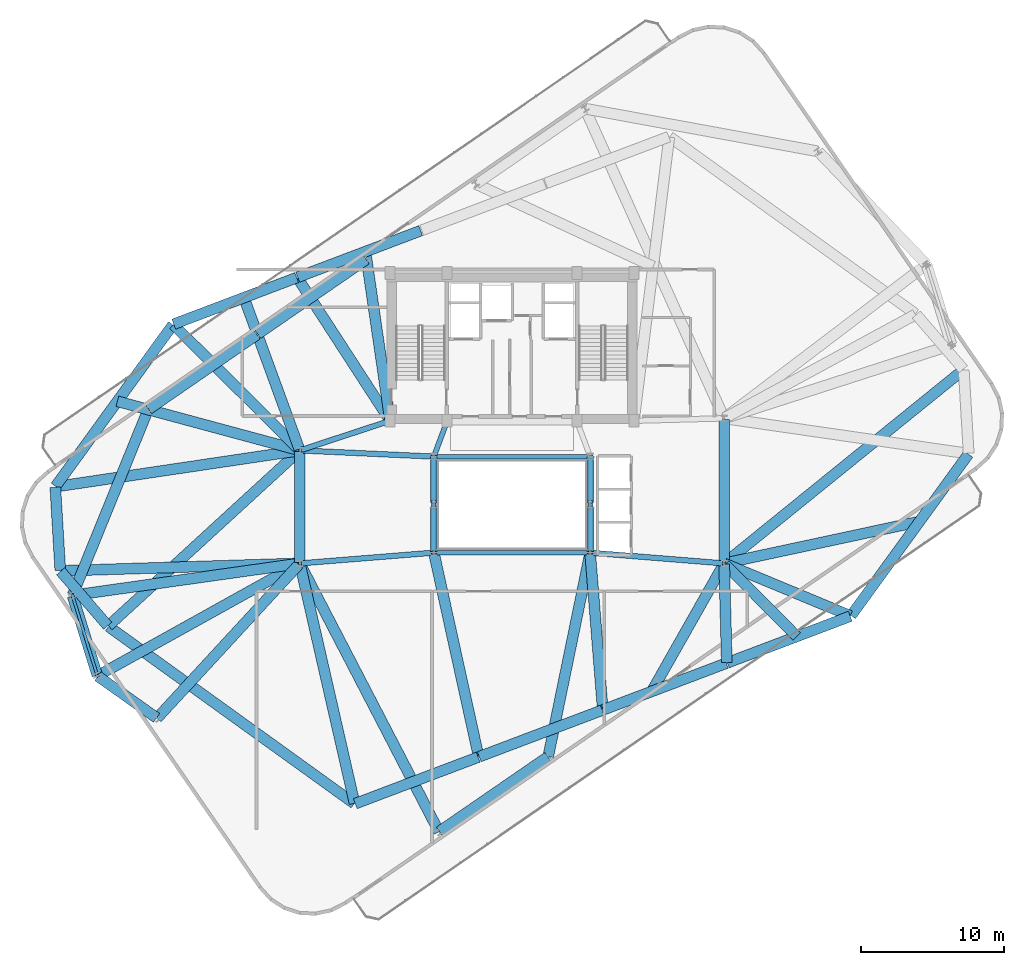
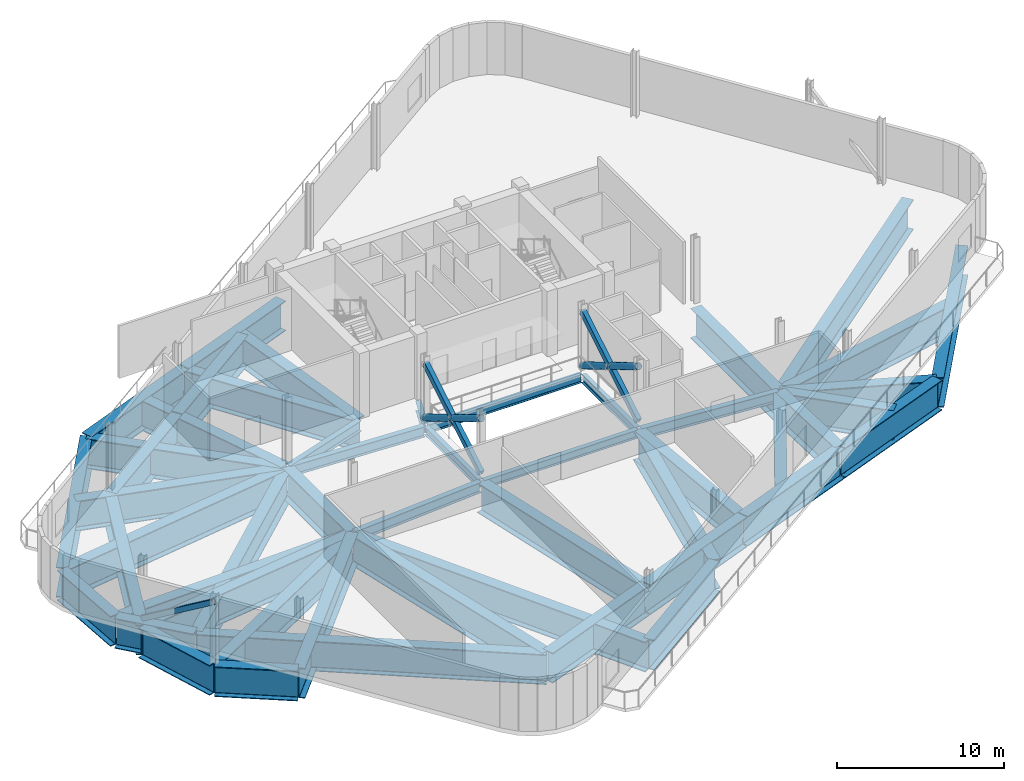
# One storey, part 3 of 13: 50 beams, 7 members.
"""IFC4 building model written with IfcOpenShell, lengths in metres."""

from ifc_helpers import new_model, si_unit, direction, frame, origin, origin_2d, place, context, subcontext, project, spatial, hollow_rectangle, hollow_circle, i_section, extrude, material, material_profile, profile_set, type_object, element, save


model = new_model("IFC4")

# Units and contexts
model_context = context("Model", 3, precision=1e-05, world=origin(), true_north=direction((0.0, 1.0)))
body_context = subcontext(model_context, "Body", "Model", "MODEL_VIEW")
ifc_project = project(units=[si_unit("LENGTHUNIT", "METRE"), si_unit("AREAUNIT", "SQUARE_METRE"), si_unit("VOLUMEUNIT", "CUBIC_METRE"), si_unit("PLANEANGLEUNIT", "RADIAN"), si_unit("MASSUNIT", "GRAM", prefix="KILO")], contexts=[model_context])

# Site, building, storey
site_placement = place(None, origin())
site = spatial("IfcSite", under=ifc_project, at=site_placement, CompositionType="ELEMENT")
building_placement = place(site_placement, origin())
building = spatial("IfcBuilding", under=site, at=building_placement, Name="Varnelok Gate Tower", CompositionType="ELEMENT")
storey_placement = place(building_placement, frame((0.0, 0.0, 253.39990234375)))
storey = spatial("IfcBuildingStorey", under=building, at=storey_placement, Name="L65", CompositionType="ELEMENT", Elevation=253.39990234375)

# Beams
ifc_material_1 = material(Name="Structural Steel ASTM A992 Grade 50", Category="steel")
ifc_material_profile_1 = material_profile(ifc_material_1, i_section(OverallWidth=0.35498046875, OverallDepth=0.696044921875, WebThickness=0.015380859375, FlangeThickness=0.02490234375, FilletRadius=0.02001953125, at=origin_2d()), Name="W27X146")
ifc_profile_set_1 = profile_set([ifc_material_profile_1], Name="Structural Steel ASTM A992 Grade 50")
beam_type_1 = type_object("IfcBeamType", Name="BM-PRI-W27X146", PredefinedType="BEAM", material=ifc_profile_set_1)
beam_1_placement = place(storey_placement, frame((33.791748046875, 26.362548828125, -0.66796875), z_axis=(0.348719329408, 0.937227202602, 0.0), x_axis=(-0.937227202602, 0.348719329408, 0.0)))
element("IfcBeam", 1, at=beam_1_placement, inside=storey, type_object=beam_type_1, Name="L65 Core-Atrium Spine Beam 12", PredefinedType="BEAM", context=body_context, shape_type="SweptSolid", body=[
    extrude(i_section(OverallWidth=0.35498046875, OverallDepth=0.696044921875, WebThickness=0.015380859375, FlangeThickness=0.02490234375, FilletRadius=0.02001953125, at=origin_2d()), origin(), (0.0, 0.0, 1.0), 2.42724609375),
])
ifc_material_profile_2 = material_profile(ifc_material_1, i_section(OverallWidth=0.381103515625, OverallDepth=0.77294921875, WebThickness=0.0166015625, FlangeThickness=0.027099609375, FilletRadius=0.02197265625, at=origin_2d()), Name="W30X173")
ifc_profile_set_2 = profile_set([ifc_material_profile_2], Name="Structural Steel ASTM A992 Grade 50")
beam_type_2 = type_object("IfcBeamType", Name="BM-PRI-W30X173", PredefinedType="BEAM", material=ifc_profile_set_2)
beam_2_placement = place(storey_placement, frame((24.51953125, 18.8095703125, -0.706298828125), z_axis=(0.996799206292, 0.07994587128, 0.0), x_axis=(-0.07994587128, 0.996799206292, 0.0)))
element("IfcBeam", 2, at=beam_2_placement, inside=storey, type_object=beam_type_2, Name="L65 Core-Atrium Spine Beam 14", PredefinedType="BEAM", context=body_context, shape_type="SweptSolid", body=[
    extrude(i_section(OverallWidth=0.381103515625, OverallDepth=0.77294921875, WebThickness=0.0166015625, FlangeThickness=0.027099609375, FilletRadius=0.02197265625, at=origin_2d()), origin(), (0.0, 0.0, 1.0), 9.14013671875),
])
beam_3_placement = place(storey_placement, frame((24.52001953125, 26.674560546875, -0.706298828125), z_axis=(0.99894427814, -0.045938319209, 0.0), x_axis=(0.045938319209, 0.99894427814, 0.0)))
element("IfcBeam", 3, at=beam_3_placement, inside=storey, type_object=beam_type_2, Name="L65 Core-Atrium Spine Beam 15", PredefinedType="BEAM", context=body_context, shape_type="SweptSolid", body=[
    extrude(i_section(OverallWidth=0.381103515625, OverallDepth=0.77294921875, WebThickness=0.0166015625, FlangeThickness=0.027099609375, FilletRadius=0.02197265625, at=origin_2d()), origin(), (0.0, 0.0, 1.0), 9.11962890625),
])
beam_4_placement = place(storey_placement, frame((24.513916015625, 26.717529296875, -0.706298828125), z_axis=(0.950041943788, 0.312122259768, 0.0), x_axis=(-0.312122259768, 0.950041943788, 0.0)))
element("IfcBeam", 4, at=beam_4_placement, inside=storey, type_object=beam_type_2, Name="L65 Core-Atrium Spine Beam 17", PredefinedType="BEAM", context=body_context, shape_type="SweptSolid", body=[
    extrude(i_section(OverallWidth=0.381103515625, OverallDepth=0.77294921875, WebThickness=0.0166015625, FlangeThickness=0.027099609375, FilletRadius=0.02197265625, at=origin_2d()), origin(), (0.0, 0.0, 1.0), 6.391357421875),
])
beam_5_placement = place(storey_placement, frame((44.76953125, 19.540283203125, -0.706298828125), z_axis=(0.996799206292, -0.07994587128, 0.0), x_axis=(0.07994587128, 0.996799206292, 0.0)))
element("IfcBeam", 5, at=beam_5_placement, inside=storey, type_object=beam_type_2, Name="L65 Core-Atrium Spine Beam 18", PredefinedType="BEAM", context=body_context, shape_type="SweptSolid", body=[
    extrude(i_section(OverallWidth=0.381103515625, OverallDepth=0.77294921875, WebThickness=0.0166015625, FlangeThickness=0.027099609375, FilletRadius=0.02197265625, at=origin_2d()), origin(), (0.0, 0.0, 1.0), 9.14013671875),
])
ifc_material_profile_3 = material_profile(ifc_material_1, i_section(OverallWidth=0.323974609375, OverallDepth=0.611083984375, WebThickness=0.0126953125, FlangeThickness=0.01904296875, FilletRadius=0.01806640625, at=origin_2d()), Name="W24X104")
ifc_profile_set_3 = profile_set([ifc_material_profile_3], Name="Structural Steel ASTM A992 Grade 50")
beam_type_3 = type_object("IfcBeamType", Name="BM-SPN-W24X104", PredefinedType="SPANDREL", material=ifc_profile_set_3)
for number, where, z_axis, x_axis, name in (
    (6, (33.8701171875, 19.550048828125, -0.62548828125), (1.0, 0.0, 0.0), (0.0, 1.0, 0.0), "L65 Core-Atrium Spine Beam 8"),
    (7, (33.8701171875, 26.25, -0.62548828125), (1.0, 0.0, 0.0), (0.0, 1.0, 0.0), "L65 Core-Atrium Spine Beam 9"),
):
    element("IfcBeam", number, at=place(storey_placement, frame(where, z_axis=z_axis, x_axis=x_axis)), inside=storey, type_object=beam_type_3, Name=name, PredefinedType="SPANDREL", context=body_context, shape_type="SweptSolid", body=[
        extrude(i_section(OverallWidth=0.323974609375, OverallDepth=0.611083984375, WebThickness=0.0126953125, FlangeThickness=0.01904296875, FilletRadius=0.01806640625, at=origin_2d()), origin(), (0.0, 0.0, 1.0), 10.659912109375),
    ])
for number, where, z_axis, x_axis, name in (
    (8, (33.75, 19.669921875, -0.62548828125), (0.0, 1.0, 0.0), (-1.0, 0.0, 0.0), "L65 Core-Atrium Spine Beam 10"),
    (9, (44.64990234375, 19.669921875, -0.62548828125), (0.0, 1.0, 0.0), (-1.0, 0.0, 0.0), "L65 Core-Atrium Spine Beam 11"),
):
    element("IfcBeam", number, at=place(storey_placement, frame(where, z_axis=z_axis, x_axis=x_axis)), inside=storey, type_object=beam_type_3, Name=name, PredefinedType="SPANDREL", context=body_context, shape_type="SweptSolid", body=[
        extrude(i_section(OverallWidth=0.323974609375, OverallDepth=0.611083984375, WebThickness=0.0126953125, FlangeThickness=0.01904296875, FilletRadius=0.01806640625, at=origin_2d()), origin(), (0.0, 0.0, 1.0), 6.4599609375),
    ])
ifc_material_2 = material(Name="Structural Steel ASTM A572 Grade 50", Category="steel")
ifc_material_profile_4 = material_profile(ifc_material_2, i_section(OverallWidth=0.75, OverallDepth=2.199951171875, WebThickness=0.031982421875, FlangeThickness=0.06005859375, FilletRadius=0.028076171875, at=origin_2d()), Name="PG2200X750")
ifc_profile_set_4 = profile_set([ifc_material_profile_4], Name="Structural Steel ASTM A572 Grade 50")
beam_type_4 = type_object("IfcBeamType", Name="BM-TR-PG2200", PredefinedType="BEAM", material=ifc_profile_set_4)
beam_6_placement = place(storey_placement, frame((24.39990234375, 18.8798828125, -1.419921875), z_axis=(0.0, 1.0, 0.0), x_axis=(-1.0, 0.0, 0.0)))
element("IfcBeam", 10, at=beam_6_placement, inside=storey, type_object=beam_type_4, Name="L65 Wing Spine Transfer Header W", PredefinedType="BEAM", context=body_context, shape_type="SweptSolid", body=[
    extrude(i_section(OverallWidth=0.75, OverallDepth=2.199951171875, WebThickness=0.031982421875, FlangeThickness=0.06005859375, FilletRadius=0.028076171875, at=origin_2d()), origin(), (0.0, 0.0, 1.0), 7.72021484375),
])
beam_7_placement = place(storey_placement, frame((54.0, 18.8798828125, -1.419921875), z_axis=(0.0, 1.0, 0.0), x_axis=(-1.0, 0.0, 0.0)))
element("IfcBeam", 11, at=beam_7_placement, inside=storey, type_object=beam_type_4, Name="L65 Wing Spine Transfer Header E", PredefinedType="BEAM", context=body_context, shape_type="SweptSolid", body=[
    extrude(i_section(OverallWidth=0.75, OverallDepth=2.199951171875, WebThickness=0.031982421875, FlangeThickness=0.06005859375, FilletRadius=0.028076171875, at=origin_2d()), origin(), (0.0, 0.0, 1.0), 9.960205078125),
])
for number, where, z_axis, x_axis, name in (
    (12, (28.266357421875, 2.042236328125, -1.419921875), (0.935218362021, 0.354071483375, 0.0), (-0.354071483375, 0.935218362021, 0.0), "L65 Transfer Support Ring Girder 1"),
    (13, (36.917236328125, 5.3173828125, -1.419921875), (0.935227177902, 0.354048196878, 0.0), (-0.354048196878, 0.935227177902, 0.0), "L65 Transfer Support Ring Girder 2"),
    (14, (45.568115234375, 8.59228515625, -1.419921875), (0.935218362021, 0.354071483375, 0.0), (-0.354071483375, 0.935218362021, 0.0), "L65 Transfer Support Ring Girder 3"),
):
    element("IfcBeam", number, at=place(storey_placement, frame(where, z_axis=z_axis, x_axis=x_axis)), inside=storey, type_object=beam_type_4, Name=name, PredefinedType="BEAM", context=body_context, shape_type="SweptSolid", body=[
        extrude(i_section(OverallWidth=0.75, OverallDepth=2.199951171875, WebThickness=0.031982421875, FlangeThickness=0.06005859375, FilletRadius=0.028076171875, at=origin_2d()), origin(), (0.0, 0.0, 1.0), 9.169921875),
    ])
beam_8_placement = place(storey_placement, frame((54.21875, 11.867431640625, -1.419921875), z_axis=(0.935221699646, 0.35406266749, 0.0), x_axis=(-0.35406266749, 0.935221699646, 0.0)))
element("IfcBeam", 15, at=beam_8_placement, inside=storey, type_object=beam_type_4, Name="L65 Transfer Support Ring Girder 4", PredefinedType="BEAM", context=body_context, shape_type="SweptSolid", body=[
    extrude(i_section(OverallWidth=0.75, OverallDepth=2.199951171875, WebThickness=0.031982421875, FlangeThickness=0.06005859375, FilletRadius=0.028076171875, at=origin_2d()), origin(), (0.0, 0.0, 1.0), 9.170166015625),
])
beam_9_placement = place(storey_placement, frame((62.855712890625, 15.160888671875, -1.419921875), z_axis=(0.58754559324, 0.809191062645, 0.0), x_axis=(-0.809191062645, 0.58754559324, 0.0)))
element("IfcBeam", 16, at=beam_9_placement, inside=storey, type_object=beam_type_4, Name="L65 Transfer Support Ring Girder 5", PredefinedType="BEAM", context=body_context, shape_type="SweptSolid", body=[
    extrude(i_section(OverallWidth=0.75, OverallDepth=2.199951171875, WebThickness=0.031982421875, FlangeThickness=0.06005859375, FilletRadius=0.028076171875, at=origin_2d()), origin(), (0.0, 0.0, 1.0), 13.9150390625),
])
for number, where, z_axis, x_axis, name in (
    (17, (32.83203125, 42.007568359375, -1.419921875), (-0.935227177902, -0.354048196878, 0.0), (0.354048196878, -0.935227177902, 0.0), "L65 Transfer Support Ring Girder 11"),
    (18, (24.18115234375, 38.732421875, -1.419921875), (-0.935227177902, -0.354048196878, 0.0), (0.354048196878, -0.935227177902, 0.0), "L65 Transfer Support Ring Girder 12"),
):
    element("IfcBeam", number, at=place(storey_placement, frame(where, z_axis=z_axis, x_axis=x_axis)), inside=storey, type_object=beam_type_4, Name=name, PredefinedType="BEAM", context=body_context, shape_type="SweptSolid", body=[
        extrude(i_section(OverallWidth=0.75, OverallDepth=2.199951171875, WebThickness=0.031982421875, FlangeThickness=0.06005859375, FilletRadius=0.028076171875, at=origin_2d()), origin(), (0.0, 0.0, 1.0), 9.169921875),
    ])
beam_10_placement = place(storey_placement, frame((15.544189453125, 35.439208984375, -1.419921875), z_axis=(-0.587537251811, -0.809197119208, 0.0), x_axis=(0.809197119208, -0.587537251811, 0.0)))
element("IfcBeam", 19, at=beam_10_placement, inside=storey, type_object=beam_type_4, Name="L65 Transfer Support Ring Girder 13", PredefinedType="BEAM", context=body_context, shape_type="SweptSolid", body=[
    extrude(i_section(OverallWidth=0.75, OverallDepth=2.199951171875, WebThickness=0.031982421875, FlangeThickness=0.06005859375, FilletRadius=0.028076171875, at=origin_2d()), origin(), (0.0, 0.0, 1.0), 13.915283203125),
])
beam_11_placement = place(storey_placement, frame((7.347412109375, 24.106689453125, -1.419921875), z_axis=(0.059470101815, -0.998230087199, 0.0), x_axis=(0.998230087199, 0.059470101815, 0.0)))
element("IfcBeam", 20, at=beam_11_placement, inside=storey, type_object=beam_type_4, Name="L65 Transfer Support Ring Girder 14", PredefinedType="BEAM", context=body_context, shape_type="SweptSolid", body=[
    extrude(i_section(OverallWidth=0.75, OverallDepth=2.199951171875, WebThickness=0.031982421875, FlangeThickness=0.06005859375, FilletRadius=0.028076171875, at=origin_2d()), origin(), (0.0, 0.0, 1.0), 5.796630859375),
])
beam_12_placement = place(storey_placement, frame((7.720703125, 18.25, -1.419921875), z_axis=(0.653510958709, -0.75691705414, 0.0), x_axis=(0.75691705414, 0.653510958709, 0.0)))
element("IfcBeam", 21, at=beam_12_placement, inside=storey, type_object=beam_type_4, Name="L65 Transfer Support Ring Girder 15", PredefinedType="BEAM", context=body_context, shape_type="SweptSolid", body=[
    extrude(i_section(OverallWidth=0.75, OverallDepth=2.199951171875, WebThickness=0.031982421875, FlangeThickness=0.06005859375, FilletRadius=0.028076171875, at=origin_2d()), origin(), (0.0, 0.0, 1.0), 5.01953125),
])
beam_13_placement = place(storey_placement, frame((11.0595703125, 14.39697265625, -1.419921875), z_axis=(0.811380620006, -0.584518168647, 0.0), x_axis=(0.584518168647, 0.811380620006, 0.0)))
element("IfcBeam", 22, at=beam_13_placement, inside=storey, type_object=beam_type_4, Name="L65 Transfer Support Ring Girder 16", PredefinedType="BEAM", context=body_context, shape_type="SweptSolid", body=[
    extrude(i_section(OverallWidth=0.75, OverallDepth=2.199951171875, WebThickness=0.031982421875, FlangeThickness=0.06005859375, FilletRadius=0.028076171875, at=origin_2d()), origin(), (0.0, 0.0, 1.0), 21.120849609375),
])
beam_14_placement = place(storey_placement, frame((24.408935546875, 18.760986328125, -1.419921875), z_axis=(0.222577413321, -0.974915019414, 0.0), x_axis=(0.974915019414, 0.222577413321, 0.0)))
element("IfcBeam", 23, at=beam_14_placement, inside=storey, type_object=beam_type_4, Name="L65 Radial Transfer Main Girder 1", PredefinedType="BEAM", context=body_context, shape_type="SweptSolid", body=[
    extrude(i_section(OverallWidth=0.75, OverallDepth=2.199951171875, WebThickness=0.031982421875, FlangeThickness=0.06005859375, FilletRadius=0.028076171875, at=origin_2d()), origin(), (0.0, 0.0, 1.0), 17.123291015625),
])
beam_15_placement = place(storey_placement, frame((33.758544921875, 19.510986328125, -1.419921875), z_axis=(0.214561586518, -0.976710461493, 0.0), x_axis=(0.976710461493, 0.214561586518, 0.0)))
element("IfcBeam", 24, at=beam_15_placement, inside=storey, type_object=beam_type_4, Name="L65 Radial Transfer Main Girder 2", PredefinedType="BEAM", context=body_context, shape_type="SweptSolid", body=[
    extrude(i_section(OverallWidth=0.75, OverallDepth=2.199951171875, WebThickness=0.031982421875, FlangeThickness=0.06005859375, FilletRadius=0.028076171875, at=origin_2d()), origin(), (0.0, 0.0, 1.0), 14.506591796875),
])
beam_16_placement = place(storey_placement, frame((44.6533203125, 19.510009765625, -1.419921875), z_axis=(0.079988543763, -0.99679578293, 0.0), x_axis=(0.99679578293, 0.079988543763, 0.0)))
element("IfcBeam", 25, at=beam_16_placement, inside=storey, type_object=beam_type_4, Name="L65 Radial Transfer Main Girder 3", PredefinedType="BEAM", context=body_context, shape_type="SweptSolid", body=[
    extrude(i_section(OverallWidth=0.75, OverallDepth=2.199951171875, WebThickness=0.031982421875, FlangeThickness=0.06005859375, FilletRadius=0.028076171875, at=origin_2d()), origin(), (0.0, 0.0, 1.0), 10.9267578125),
])
beam_17_placement = place(storey_placement, frame((54.0009765625, 18.760009765625, -1.419921875), z_axis=(0.026123485806, -0.99965872351, 0.0), x_axis=(0.99965872351, 0.026123485806, 0.0)))
element("IfcBeam", 26, at=beam_17_placement, inside=storey, type_object=beam_type_4, Name="L65 Radial Transfer Main Girder 4", PredefinedType="BEAM", context=body_context, shape_type="SweptSolid", body=[
    extrude(i_section(OverallWidth=0.75, OverallDepth=2.199951171875, WebThickness=0.031982421875, FlangeThickness=0.06005859375, FilletRadius=0.028076171875, at=origin_2d()), origin(), (0.0, 0.0, 1.0), 6.869140625),
])
beam_18_placement = place(storey_placement, frame((54.036865234375, 18.78466796875, -1.419921875), z_axis=(0.923395680781, -0.383849471428, 0.0), x_axis=(0.383849471428, 0.923395680781, 0.0)))
element("IfcBeam", 27, at=beam_18_placement, inside=storey, type_object=beam_type_4, Name="L65 Radial Transfer Main Girder 5", PredefinedType="BEAM", context=body_context, shape_type="SweptSolid", body=[
    extrude(i_section(OverallWidth=0.75, OverallDepth=2.199951171875, WebThickness=0.031982421875, FlangeThickness=0.06005859375, FilletRadius=0.028076171875, at=origin_2d()), origin(), (0.0, 0.0, 1.0), 9.485107421875),
])
beam_19_placement = place(storey_placement, frame((54.031005859375, 18.8251953125, -1.419921875), z_axis=(0.777334350714, 0.629087678468, 0.0), x_axis=(-0.629087678468, 0.777334350714, 0.0)))
element("IfcBeam", 28, at=beam_19_placement, inside=storey, type_object=beam_type_4, Name="L65 Radial Transfer Main Girder 7", PredefinedType="BEAM", context=body_context, shape_type="SweptSolid", body=[
    extrude(i_section(OverallWidth=0.75, OverallDepth=2.199951171875, WebThickness=0.031982421875, FlangeThickness=0.06005859375, FilletRadius=0.028076171875, at=origin_2d()), origin(), (0.0, 0.0, 1.0), 21.41064453125),
])
beam_20_placement = place(storey_placement, frame((30.67822265625, 28.78369140625, -1.419921875), z_axis=(-0.54401409222, 0.839076079665, 0.0), x_axis=(-0.839076079665, -0.54401409222, 0.0)))
element("IfcBeam", 29, at=beam_20_placement, inside=storey, type_object=beam_type_4, Name="L65 Radial Transfer Main Girder 12", PredefinedType="BEAM", context=body_context, shape_type="SweptSolid", body=[
    extrude(i_section(OverallWidth=0.75, OverallDepth=2.199951171875, WebThickness=0.031982421875, FlangeThickness=0.06005859375, FilletRadius=0.028076171875, at=origin_2d()), origin(), (0.0, 0.0, 1.0), 11.833740234375),
])
beam_21_placement = place(storey_placement, frame((24.37158203125, 26.708251953125, -1.419921875), z_axis=(-0.708731617111, 0.705478202999, 0.0), x_axis=(-0.705478202999, -0.708731617111, 0.0)))
element("IfcBeam", 30, at=beam_21_placement, inside=storey, type_object=beam_type_4, Name="L65 Radial Transfer Main Girder 13", PredefinedType="BEAM", context=body_context, shape_type="SweptSolid", body=[
    extrude(i_section(OverallWidth=0.75, OverallDepth=2.199951171875, WebThickness=0.031982421875, FlangeThickness=0.06005859375, FilletRadius=0.028076171875, at=origin_2d()), origin(), (0.0, 0.0, 1.0), 12.3818359375),
])
beam_22_placement = place(storey_placement, frame((24.3603515625, 26.674072265625, -1.419921875), z_axis=(-0.989148093522, -0.146921914917, 0.0), x_axis=(0.146921914917, -0.989148093522, 0.0)))
element("IfcBeam", 31, at=beam_22_placement, inside=storey, type_object=beam_type_4, Name="L65 Radial Transfer Main Girder 14", PredefinedType="BEAM", context=body_context, shape_type="SweptSolid", body=[
    extrude(i_section(OverallWidth=0.75, OverallDepth=2.199951171875, WebThickness=0.031982421875, FlangeThickness=0.06005859375, FilletRadius=0.028076171875, at=origin_2d()), origin(), (0.0, 0.0, 1.0), 17.162109375),
])
beam_23_placement = place(storey_placement, frame((24.360107421875, 18.798828125, -1.419921875), z_axis=(-0.999516219944, -0.031101865988, 0.0), x_axis=(0.031101865988, -0.999516219944, 0.0)))
element("IfcBeam", 32, at=beam_23_placement, inside=storey, type_object=beam_type_4, Name="L65 Radial Transfer Main Girder 15", PredefinedType="BEAM", context=body_context, shape_type="SweptSolid", body=[
    extrude(i_section(OverallWidth=0.75, OverallDepth=2.199951171875, WebThickness=0.031982421875, FlangeThickness=0.06005859375, FilletRadius=0.028076171875, at=origin_2d()), origin(), (0.0, 0.0, 1.0), 16.633544921875),
])
beam_24_placement = place(storey_placement, frame((24.37060546875, 26.653076171875, -1.419921875), z_axis=(-0.737117108568, -0.67576502444, 0.0), x_axis=(0.67576502444, -0.737117108568, 0.0)))
element("IfcBeam", 33, at=beam_24_placement, inside=storey, type_object=beam_type_4, Name="L65 Radial Transfer Main Girder 16", PredefinedType="BEAM", context=body_context, shape_type="SweptSolid", body=[
    extrude(i_section(OverallWidth=0.75, OverallDepth=2.199951171875, WebThickness=0.031982421875, FlangeThickness=0.06005859375, FilletRadius=0.028076171875, at=origin_2d()), origin(), (0.0, 0.0, 1.0), 18.062255859375),
])
beam_25_placement = place(storey_placement, frame((24.446044921875, 18.711181640625, -1.419921875), z_axis=(0.460361646818, -0.887731465106, 0.0), x_axis=(0.887731465106, 0.460361646818, 0.0)))
element("IfcBeam", 34, at=beam_25_placement, inside=storey, type_object=beam_type_4, Name="L65 Column Transfer Carrier Girder 1", PredefinedType="BEAM", context=body_context, shape_type="SweptSolid", body=[
    extrude(i_section(OverallWidth=0.75, OverallDepth=2.199951171875, WebThickness=0.031982421875, FlangeThickness=0.06005859375, FilletRadius=0.028076171875, at=origin_2d()), origin(), (0.0, 0.0, 1.0), 20.986572265625),
])
beam_26_placement = place(storey_placement, frame((44.6298828125, 19.4521484375, -1.419921875), z_axis=(-0.201443198373, -0.979500197973, 0.0), x_axis=(0.979500197973, -0.201443198373, 0.0)))
element("IfcBeam", 35, at=beam_26_placement, inside=storey, type_object=beam_type_4, Name="L65 Column Transfer Carrier Girder 2", PredefinedType="BEAM", context=body_context, shape_type="SweptSolid", body=[
    extrude(i_section(OverallWidth=0.75, OverallDepth=2.199951171875, WebThickness=0.031982421875, FlangeThickness=0.06005859375, FilletRadius=0.028076171875, at=origin_2d()), origin(), (0.0, 0.0, 1.0), 14.419921875),
])
beam_27_placement = place(storey_placement, frame((53.95068359375, 18.712890625, -1.419921875), z_axis=(-0.492737941992, -0.870177752256, 0.0), x_axis=(0.870177752256, -0.492737941992, 0.0)))
element("IfcBeam", 36, at=beam_27_placement, inside=storey, type_object=beam_type_4, Name="L65 Column Transfer Carrier Girder 3", PredefinedType="BEAM", context=body_context, shape_type="SweptSolid", body=[
    extrude(i_section(OverallWidth=0.75, OverallDepth=2.199951171875, WebThickness=0.031982421875, FlangeThickness=0.06005859375, FilletRadius=0.028076171875, at=origin_2d()), origin(), (0.0, 0.0, 1.0), 10.161865234375),
])
beam_28_placement = place(storey_placement, frame((54.070556640625, 18.72900390625, -1.419921875), z_axis=(0.705071457783, -0.709136262943, 0.0), x_axis=(0.709136262943, 0.705071457783, 0.0)))
element("IfcBeam", 37, at=beam_28_placement, inside=storey, type_object=beam_type_4, Name="L65 Column Transfer Carrier Girder 4", PredefinedType="BEAM", context=body_context, shape_type="SweptSolid", body=[
    extrude(i_section(OverallWidth=0.75, OverallDepth=2.199951171875, WebThickness=0.031982421875, FlangeThickness=0.06005859375, FilletRadius=0.028076171875, at=origin_2d()), origin(), (0.0, 0.0, 1.0), 7.08740234375),
])
beam_29_placement = place(storey_placement, frame((54.097900390625, 18.821044921875, -1.419921875), z_axis=(0.97774683735, 0.20978827911, 0.0), x_axis=(-0.20978827911, 0.97774683735, 0.0)))
element("IfcBeam", 38, at=beam_29_placement, inside=storey, type_object=beam_type_4, Name="L65 Column Transfer Carrier Girder 5", PredefinedType="BEAM", context=body_context, shape_type="SweptSolid", body=[
    extrude(i_section(OverallWidth=0.75, OverallDepth=2.199951171875, WebThickness=0.031982421875, FlangeThickness=0.06005859375, FilletRadius=0.028076171875, at=origin_2d()), origin(), (0.0, 0.0, 1.0), 13.830078125),
])
beam_30_placement = place(storey_placement, frame((30.685546875, 28.84912109375, -1.419921875), z_axis=(-0.144184320806, 0.989550848433, 0.0), x_axis=(-0.989550848433, -0.144184320806, 0.0)))
element("IfcBeam", 39, at=beam_30_placement, inside=storey, type_object=beam_type_4, Name="L65 Column Transfer Carrier Girder 11", PredefinedType="BEAM", context=body_context, shape_type="SweptSolid", body=[
    extrude(i_section(OverallWidth=0.75, OverallDepth=2.199951171875, WebThickness=0.031982421875, FlangeThickness=0.06005859375, FilletRadius=0.028076171875, at=origin_2d()), origin(), (0.0, 0.0, 1.0), 11.823974609375),
])
beam_31_placement = place(storey_placement, frame((24.36572265625, 26.77392578125, -1.419921875), z_axis=(-0.34338219118, 0.939195757433, 0.0), x_axis=(-0.939195757433, -0.34338219118, 0.0)))
element("IfcBeam", 40, at=beam_31_placement, inside=storey, type_object=beam_type_4, Name="L65 Column Transfer Carrier Girder 12", PredefinedType="BEAM", context=body_context, shape_type="SweptSolid", body=[
    extrude(i_section(OverallWidth=0.75, OverallDepth=2.199951171875, WebThickness=0.031982421875, FlangeThickness=0.06005859375, FilletRadius=0.028076171875, at=origin_2d()), origin(), (0.0, 0.0, 1.0), 11.25),
])
beam_32_placement = place(storey_placement, frame((24.303466796875, 26.7060546875, -1.419921875), z_axis=(-0.965565639848, 0.260159557089, 0.0), x_axis=(-0.260159557089, -0.965565639848, 0.0)))
element("IfcBeam", 41, at=beam_32_placement, inside=storey, type_object=beam_type_4, Name="L65 Column Transfer Carrier Girder 13", PredefinedType="BEAM", context=body_context, shape_type="SweptSolid", body=[
    extrude(i_section(OverallWidth=0.75, OverallDepth=2.199951171875, WebThickness=0.031982421875, FlangeThickness=0.06005859375, FilletRadius=0.028076171875, at=origin_2d()), origin(), (0.0, 0.0, 1.0), 13.079833984375),
])
beam_33_placement = place(storey_placement, frame((24.301025390625, 18.7861328125, -1.419921875), z_axis=(-0.990242822284, -0.139352620767, 0.0), x_axis=(0.139352620767, -0.990242822284, 0.0)))
element("IfcBeam", 42, at=beam_33_placement, inside=storey, type_object=beam_type_4, Name="L65 Column Transfer Carrier Girder 14", PredefinedType="BEAM", context=body_context, shape_type="SweptSolid", body=[
    extrude(i_section(OverallWidth=0.75, OverallDepth=2.199951171875, WebThickness=0.031982421875, FlangeThickness=0.06005859375, FilletRadius=0.028076171875, at=origin_2d()), origin(), (0.0, 0.0, 1.0), 15.9130859375),
])
beam_34_placement = place(storey_placement, frame((24.3125, 18.75146484375, -1.419921875), z_axis=(-0.87409699331, -0.485751424379, 0.0), x_axis=(0.485751424379, -0.87409699331, 0.0)))
element("IfcBeam", 43, at=beam_34_placement, inside=storey, type_object=beam_type_4, Name="L65 Column Transfer Carrier Girder 15", PredefinedType="BEAM", context=body_context, shape_type="SweptSolid", body=[
    extrude(i_section(OverallWidth=0.75, OverallDepth=2.199951171875, WebThickness=0.031982421875, FlangeThickness=0.06005859375, FilletRadius=0.028076171875, at=origin_2d()), origin(), (0.0, 0.0, 1.0), 16.048583984375),
])
beam_35_placement = place(storey_placement, frame((24.332275390625, 18.7265625, -1.419921875), z_axis=(-0.677967919514, -0.735091490979, 0.0), x_axis=(0.735091490979, -0.677967919514, 0.0)))
element("IfcBeam", 44, at=beam_35_placement, inside=storey, type_object=beam_type_4, Name="L65 Column Transfer Carrier Girder 16", PredefinedType="BEAM", context=body_context, shape_type="SweptSolid", body=[
    extrude(i_section(OverallWidth=0.75, OverallDepth=2.199951171875, WebThickness=0.031982421875, FlangeThickness=0.06005859375, FilletRadius=0.028076171875, at=origin_2d()), origin(), (0.0, 0.0, 1.0), 14.5869140625),
])
beam_36_placement = place(storey_placement, frame((34.140380859375, 0.103515625, -1.419921875), z_axis=(0.82352888346, 0.567274341132, 0.0), x_axis=(-0.567274341132, 0.82352888346, 0.0)))
element("IfcBeam", 45, at=beam_36_placement, inside=storey, type_object=beam_type_4, Name="L65 Upper Perimeter Transfer Ring 1", PredefinedType="BEAM", context=body_context, shape_type="SweptSolid", body=[
    extrude(i_section(OverallWidth=0.75, OverallDepth=2.199951171875, WebThickness=0.031982421875, FlangeThickness=0.06005859375, FilletRadius=0.028076171875, at=origin_2d()), origin(), (0.0, 0.0, 1.0), 9.169921875),
])
for number, where, z_axis, x_axis, name in (
    (46, (29.0244140625, 40.002197265625, -1.419921875), (-0.823537450738, -0.567261903562, 0.0), (0.567261903562, -0.823537450738, 0.0), "L65 Upper Perimeter Transfer Ring 11"),
    (47, (21.40673828125, 34.7548828125, -1.419921875), (-0.823537450738, -0.567261903562, 0.0), (0.567261903562, -0.823537450738, 0.0), "L65 Upper Perimeter Transfer Ring 12"),
):
    element("IfcBeam", number, at=place(storey_placement, frame(where, z_axis=z_axis, x_axis=x_axis)), inside=storey, type_object=beam_type_4, Name=name, PredefinedType="BEAM", context=body_context, shape_type="SweptSolid", body=[
        extrude(i_section(OverallWidth=0.75, OverallDepth=2.199951171875, WebThickness=0.031982421875, FlangeThickness=0.06005859375, FilletRadius=0.028076171875, at=origin_2d()), origin(), (0.0, 0.0, 1.0), 9.170166015625),
    ])
beam_37_placement = place(storey_placement, frame((13.806884765625, 29.493408203125, -1.419921875), z_axis=(-0.377167035257, -0.926145251845, 0.0), x_axis=(0.926145251845, -0.377167035257, 0.0)))
element("IfcBeam", 48, at=beam_37_placement, inside=storey, type_object=beam_type_4, Name="L65 Upper Perimeter Transfer Ring 13", PredefinedType="BEAM", context=body_context, shape_type="SweptSolid", body=[
    extrude(i_section(OverallWidth=0.75, OverallDepth=2.199951171875, WebThickness=0.031982421875, FlangeThickness=0.06005859375, FilletRadius=0.028076171875, at=origin_2d()), origin(), (0.0, 0.0, 1.0), 13.915771484375),
])
beam_38_placement = place(storey_placement, frame((8.55517578125, 16.5302734375, -1.419921875), z_axis=(0.29625746333, -0.955108117137, 0.0), x_axis=(0.955108117137, 0.29625746333, 0.0)))
element("IfcBeam", 49, at=beam_38_placement, inside=storey, type_object=beam_type_4, Name="L65 Upper Perimeter Transfer Ring 14", PredefinedType="BEAM", context=body_context, shape_type="SweptSolid", body=[
    extrude(i_section(OverallWidth=0.75, OverallDepth=2.199951171875, WebThickness=0.031982421875, FlangeThickness=0.06005859375, FilletRadius=0.028076171875, at=origin_2d()), origin(), (0.0, 0.0, 1.0), 5.796630859375),
])
beam_39_placement = place(storey_placement, frame((10.31689453125, 10.9326171875, -1.419921875), z_axis=(0.815448641484, -0.578829433514, 0.0), x_axis=(0.578829433514, 0.815448641484, 0.0)))
element("IfcBeam", 50, at=beam_39_placement, inside=storey, type_object=beam_type_4, Name="L65 Upper Perimeter Transfer Ring 15", PredefinedType="BEAM", context=body_context, shape_type="SweptSolid", body=[
    extrude(i_section(OverallWidth=0.75, OverallDepth=2.199951171875, WebThickness=0.031982421875, FlangeThickness=0.06005859375, FilletRadius=0.028076171875, at=origin_2d()), origin(), (0.0, 0.0, 1.0), 5.01953125),
])

# Members
ifc_material_3 = material(Name="Structural Steel ASTM A500 Grade C", Category="steel")
ifc_material_profile_5 = material_profile(ifc_material_3, hollow_rectangle(XDim=0.199951171875, YDim=0.35009765625, WallThickness=0.012451171875, at=origin_2d()), Name="HSS350X200X12")
ifc_profile_set_5 = profile_set([ifc_material_profile_5], Name="Structural Steel ASTM A500 Grade C")
member_type_1 = type_object("IfcMemberType", Name="MEM-BLT-BRACE2", PredefinedType="BRACE", material=ifc_profile_set_5)
member_placement = place(storey_placement, frame((8.543212890625, 16.568603515625, 0.2001953125), z_axis=(0.244936852316, -0.789553874753, 0.562681630446), x_axis=(0.955097384053, 0.296292063639, 0.0)))
element("IfcMember", 51, at=member_placement, inside=storey, type_object=member_type_1, Name="L65 Belt Truss Diagonal Brace 2", PredefinedType="BRACE", context=body_context, shape_type="SweptSolid", body=[
    extrude(hollow_rectangle(XDim=0.199951171875, YDim=0.35009765625, WallThickness=0.012451171875, at=origin_2d()), origin(), (0.0, 0.0, 1.0), 7.10888671875),
])
ifc_material_profile_6 = material_profile(ifc_material_3, hollow_rectangle(XDim=0.300048828125, YDim=0.449951171875, WallThickness=0.01611328125, at=origin_2d()), Name="HSS450X300X16")
ifc_profile_set_6 = profile_set([ifc_material_profile_6], Name="Structural Steel ASTM A500 Grade C")
member_type_2 = type_object("IfcMemberType", Name="MEM-OUT-BRACE2", PredefinedType="BRACE", material=ifc_profile_set_6)
for number, where, z_axis, x_axis, name in (
    (52, (33.75, 19.550048828125, 0.2001953125), (0.0, 0.858619967627, 0.512612671705), (-1.0, 0.0, 0.0), "L65 Plant Outrigger Diagonal 1"),
    (53, (44.64990234375, 19.550048828125, 0.2001953125), (0.0, 0.858619967627, 0.512612671705), (-1.0, 0.0, 0.0), "L65 Plant Outrigger Diagonal 2"),
):
    element("IfcMember", number, at=place(storey_placement, frame(where, z_axis=z_axis, x_axis=x_axis)), inside=storey, type_object=member_type_2, Name=name, PredefinedType="BRACE", context=body_context, shape_type="SweptSolid", body=[
        extrude(hollow_rectangle(XDim=0.300048828125, YDim=0.449951171875, WallThickness=0.01611328125, at=origin_2d()), origin(), (0.0, 0.0, 1.0), 7.80322265625),
    ])
ifc_material_profile_7 = material_profile(ifc_material_3, hollow_circle(Radius=0.228515625, WallThickness=0.02001953125, at=origin_2d()), Name="CHS457X20")
ifc_profile_set_7 = profile_set([ifc_material_profile_7], Name="Structural Steel ASTM A500 Grade C")
member_type_3 = type_object("IfcMemberType", Name="MEM-TRUSS-DIAG", PredefinedType="BRACE", material=ifc_profile_set_7)
for number, where, z_axis, x_axis, name in (
    (54, (33.75, 26.25, 0.2001953125), (0.0, -0.858625968147, 0.512602620773), (1.0, 0.0, 0.0), "L65 Plant Outrigger Counter-Diagonal 1A"),
    (55, (33.75, 22.711181640625, 2.31298828125), (0.0, -0.858625968147, 0.512602620773), (1.0, 0.0, 0.0), "L65 Plant Outrigger Counter-Diagonal 1B"),
    (56, (44.64990234375, 26.25, 0.2001953125), (0.0, -0.858625968147, 0.512602620773), (1.0, 0.0, 0.0), "L65 Plant Outrigger Counter-Diagonal 2A"),
    (57, (44.64990234375, 22.711181640625, 2.31298828125), (0.0, -0.858625968147, 0.512602620773), (1.0, 0.0, 0.0), "L65 Plant Outrigger Counter-Diagonal 2B"),
):
    element("IfcMember", number, at=place(storey_placement, frame(where, z_axis=z_axis, x_axis=x_axis)), inside=storey, type_object=member_type_3, Name=name, PredefinedType="BRACE", context=body_context, shape_type="SweptSolid", body=[
        extrude(hollow_circle(Radius=0.228515625, WallThickness=0.02001953125, at=origin_2d()), origin(), (0.0, 0.0, 1.0), 3.681640625),
    ])

save(model, "model.ifc")
